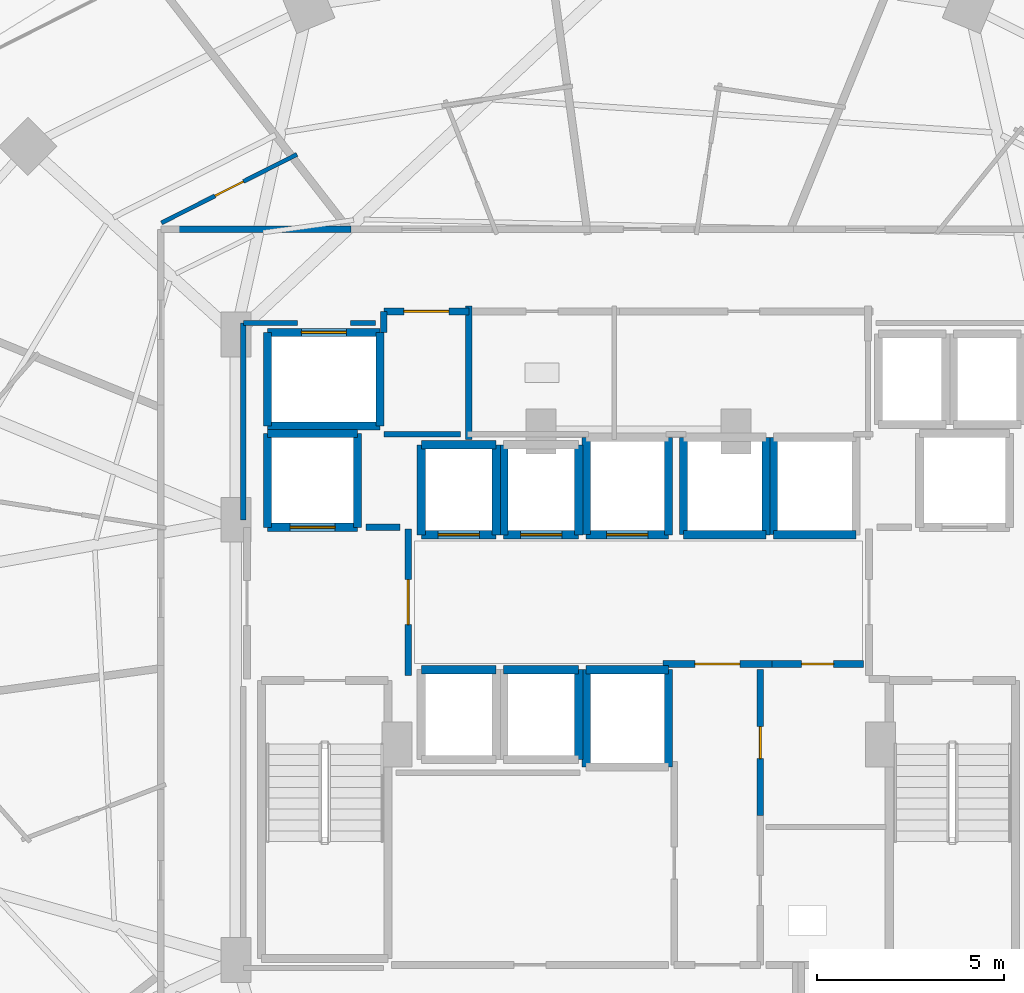
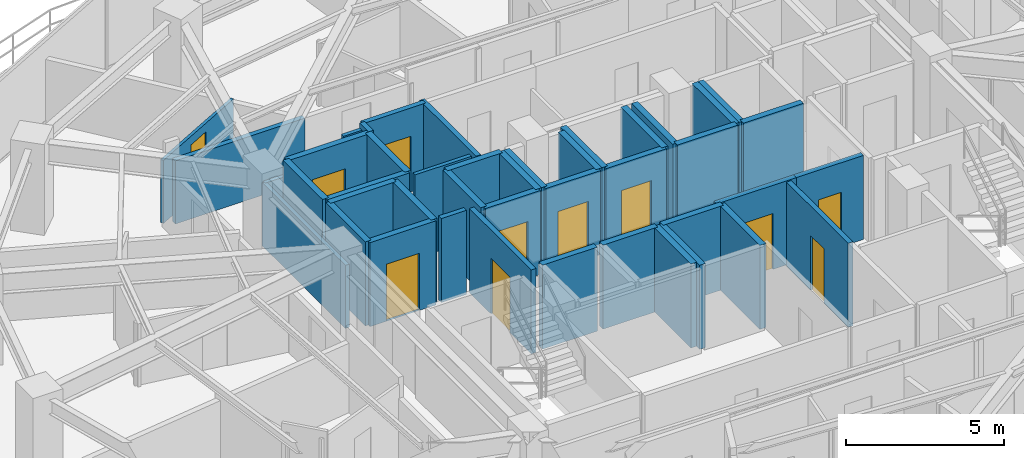
# One storey, part 23 of 30: 43 walls, 11 doors, 11 openings.
"""IFC4 building model written with IfcOpenShell, lengths in metres."""

from ifc_helpers import new_model, si_unit, direction, frame, frame_2d, origin, place, context, subcontext, project, spatial, rectangle, extrude, material, layer, layer_set, type_object, element, fill, save


model = new_model("IFC4")

# Units and contexts
model_context = context("Model", 3, precision=1e-05, world=origin(), true_north=direction((0.0, 1.0)))
body_context = subcontext(model_context, "Body", "Model", "MODEL_VIEW")
ifc_project = project(units=[si_unit("LENGTHUNIT", "METRE"), si_unit("AREAUNIT", "SQUARE_METRE"), si_unit("VOLUMEUNIT", "CUBIC_METRE"), si_unit("PLANEANGLEUNIT", "RADIAN"), si_unit("MASSUNIT", "GRAM", prefix="KILO")], contexts=[model_context])

# Site, building, storey
site_placement = place(None, origin())
site = spatial("IfcSite", under=ifc_project, at=site_placement, CompositionType="ELEMENT")
building_placement = place(site_placement, origin())
building = spatial("IfcBuilding", under=site, at=building_placement, Name="Vorneva Point Tower", CompositionType="ELEMENT")
storey_placement = place(building_placement, frame((0.0, 0.0, 92.800048828125)))
storey = spatial("IfcBuildingStorey", under=building, at=storey_placement, Name="L24", CompositionType="ELEMENT", Elevation=92.800048828125)

# Wall, opening, door
ifc_material_1 = material(Name="Concrete B60 (C50/60)", Category="concrete")
ifc_layer_1 = layer(ifc_material_1, 0.5)
ifc_layer_set_1 = layer_set([ifc_layer_1], Name="Concrete B60 (C50/60)")
wall_type_1 = type_object("IfcWallType", Name="WL-CORE-500", PredefinedType="SHEAR", material=ifc_layer_set_1)
wall_1_placement = place(storey_placement, frame((28.10009765625, 28.0, 0.0), z_axis=(0.0, 0.0, 1.0), x_axis=(1.0, 0.0, 0.0)))
wall_1 = element("IfcWall", 1, at=wall_1_placement, inside=storey, type_object=wall_type_1, Name="L24 Lift FFL1 Shaft Wall -Y", PredefinedType="SHEAR", context=body_context, shape_type="SweptSolid", body=[
    extrude(rectangle(XDim=2.39990234375, YDim=0.219970703125, at=frame_2d((1.199951171875, 0.0))), origin(), (0.0, 0.0, 1.0), 3.239990234375),
])
opening_1_placement = place(wall_1_placement, frame((0.60009765625, 0.0, 0.0)))
opening_1 = element("IfcOpeningElement", 2, at=opening_1_placement, cuts=wall_1, Name="Opening LD-02", PredefinedType="OPENING", context=body_context, shape_type="SweptSolid", body=[
    extrude(rectangle(XDim=1.199951171875, YDim=2.199951171875, at=frame_2d((0.60009765625, 1.10009765625))), frame((0.0, 0.125, 0.0), z_axis=(0.0, -1.0, 0.0), x_axis=(1.0, 0.0, 0.0)), (0.0, 0.0, 1.0), 0.249755859375),
])
ifc_material_2 = material(Name="Brushed stainless steel S304", Category="steel")
door_type_1 = type_object("IfcDoorType", Name="LD-FIRE-1200", OperationType="SLIDING_TO_LEFT", PredefinedType="DOOR", material=ifc_material_2)
door_1_placement = place(opening_1_placement, origin())
door_1 = element("IfcDoor", 3, at=door_1_placement, inside=storey, type_object=door_type_1, Name="L24 Lift FFL1 Sliding Landing Door", OperationType="SLIDING_TO_LEFT", OverallHeight=2.199951171875, OverallWidth=1.199951171875, PredefinedType="DOOR", context=body_context, shape_type="SweptSolid", body=[
    extrude(rectangle(XDim=1.199951171875, YDim=2.199951171875, at=frame_2d((0.60009765625, 1.10009765625))), frame((0.0, 0.02490234375, 0.0), z_axis=(0.0, -1.0, 0.0), x_axis=(1.0, 0.0, 0.0)), (0.0, 0.0, 1.0), 0.050048828125),
])
fill(opening_1, door_1)

# Walls
wall_2_placement = place(storey_placement, frame((30.5, 28.0, 0.0), z_axis=(0.0, 0.0, 1.0), x_axis=(0.0, 1.0, 0.0)))
element("IfcWall", 4, at=wall_2_placement, inside=storey, type_object=wall_type_1, Name="L24 Lift FFL1 Shaft Wall +X", PredefinedType="SHEAR", context=body_context, shape_type="SweptSolid", body=[
    extrude(rectangle(XDim=2.5, YDim=0.219970703125, at=frame_2d((1.25, 0.0))), origin(), (0.0, 0.0, 1.0), 3.239990234375),
])
wall_3_placement = place(storey_placement, frame((30.5, 30.5, 0.0), z_axis=(0.0, 0.0, 1.0), x_axis=(-1.0, 0.0, 0.0)))
element("IfcWall", 5, at=wall_3_placement, inside=storey, type_object=wall_type_1, Name="L24 Lift FFL1 Shaft Wall +Y", PredefinedType="SHEAR", context=body_context, shape_type="SweptSolid", body=[
    extrude(rectangle(XDim=2.39990234375, YDim=0.219970703125, at=frame_2d((1.199951171875, 0.0))), origin(), (0.0, 0.0, 1.0), 3.239990234375),
])
wall_4_placement = place(storey_placement, frame((28.10009765625, 30.5, 0.0), z_axis=(0.0, 0.0, 1.0), x_axis=(0.0, -1.0, 0.0)))
element("IfcWall", 6, at=wall_4_placement, inside=storey, type_object=wall_type_1, Name="L24 Lift FFL1 Shaft Wall -X", PredefinedType="SHEAR", context=body_context, shape_type="SweptSolid", body=[
    extrude(rectangle(XDim=2.5, YDim=0.219970703125, at=frame_2d((1.25, 0.0))), origin(), (0.0, 0.0, 1.0), 3.239990234375),
])

# Wall, opening, door
ifc_material_3 = material(Name="Fire-rated acoustic gypsum stud partition", Category="gypsum")
ifc_layer_2 = layer(ifc_material_3, 0.110107421875)
ifc_layer_set_2 = layer_set([ifc_layer_2], Name="Fire-rated acoustic gypsum stud partition")
wall_type_2 = type_object("IfcWallType", Name="WL-PART-110", PredefinedType="PARTITIONING", material=ifc_layer_set_2)
wall_5_placement = place(storey_placement, frame((25.26806640625, 36.122802734375, 0.0), z_axis=(0.0, 0.0, 1.0), x_axis=(0.892501687321, 0.451044053425, 0.0)))
wall_5 = element("IfcWall", 7, at=wall_5_placement, inside=storey, type_object=wall_type_2, Name="L24 Interior Partition 066", PredefinedType="PARTITIONING", context=body_context, shape_type="SweptSolid", body=[
    extrude(rectangle(XDim=4.04931640625, YDim=0.110107421875, at=frame_2d((2.024658203125, 0.0))), origin(), (0.0, 0.0, 1.0), 2.431884765625),
])
opening_2_placement = place(wall_5_placement, frame((1.599609375, 0.0, 0.0)))
opening_2 = element("IfcOpeningElement", 8, at=opening_2_placement, cuts=wall_5, Name="Opening ID-02", PredefinedType="OPENING", context=body_context, shape_type="SweptSolid", body=[
    extrude(rectangle(XDim=0.85009765625, YDim=2.10009765625, at=frame_2d((0.425048828125, 1.050048828125))), frame((0.0, 0.06982421875, 0.0), z_axis=(0.0, -1.0, 0.0), x_axis=(1.0, 0.0, 0.0)), (0.0, 0.0, 1.0), 0.139892578125),
])
ifc_material_4 = material(Name="Engineered oak fire-rated door leaf", Category="wood")
door_type_2 = type_object("IfcDoorType", Name="DR-BATH-850", OperationType="NOTDEFINED", PredefinedType="DOOR", material=ifc_material_4)
door_2_placement = place(opening_2_placement, origin())
door_2 = element("IfcDoor", 9, at=door_2_placement, inside=storey, type_object=door_type_2, Name="L24 Door Executive Suite L24-05 / En-Suite Bathroom L24-05", OperationType="SINGLE_SWING_RIGHT", OverallHeight=2.10009765625, OverallWidth=0.85009765625, PredefinedType="DOOR", context=body_context, shape_type="SweptSolid", body=[
    extrude(rectangle(XDim=0.85009765625, YDim=2.10009765625, at=frame_2d((0.425048828125, 1.050048828125))), frame((0.0, 0.02490234375, 0.0), z_axis=(0.0, -1.0, 0.0), x_axis=(1.0, 0.0, 0.0)), (0.0, 0.0, 1.0), 0.050048828125),
])
fill(opening_2, door_2)

# Walls
ifc_layer_3 = layer(ifc_material_3, 0.139892578125)
ifc_layer_set_3 = layer_set([ifc_layer_3], Name="Fire-rated acoustic gypsum stud partition")
wall_type_3 = type_object("IfcWallType", Name="WL-PART-140", PredefinedType="PARTITIONING", material=ifc_layer_set_3)
wall_6_placement = place(storey_placement, frame((31.199951171875, 30.47998046875, 0.0), z_axis=(0.0, 0.0, 1.0), x_axis=(1.0, 0.0, 0.0)))
element("IfcWall", 10, at=wall_6_placement, inside=storey, type_object=wall_type_3, Name="L24 Interior Closure Partition 088", PredefinedType="PARTITIONING", context=body_context, shape_type="SweptSolid", body=[
    extrude(rectangle(XDim=2.050048828125, YDim=0.139892578125, at=frame_2d((1.02490234375, 0.0))), origin(), (0.0, 0.0, 1.0), 3.239990234375),
])
wall_7_placement = place(storey_placement, frame((27.449951171875, 28.196044921875, 0.0), z_axis=(0.0, 0.0, 1.0), x_axis=(0.0, 1.0, 0.0)))
element("IfcWall", 11, at=wall_7_placement, inside=storey, type_object=wall_type_3, Name="L24 Interior Closure Partition 100", PredefinedType="PARTITIONING", context=body_context, shape_type="SweptSolid", body=[
    extrude(rectangle(XDim=5.25390625, YDim=0.139892578125, at=frame_2d((2.626953125, 0.0))), origin(), (0.0, 0.0, 1.0), 2.431884765625),
])
wall_8_placement = place(storey_placement, frame((27.449951171875, 33.449951171875, 0.0), z_axis=(0.0, 0.0, 1.0), x_axis=(1.0, 0.0, 0.0)))
element("IfcWall", 12, at=wall_8_placement, inside=storey, type_object=wall_type_3, Name="L24 Interior Closure Partition 101", PredefinedType="PARTITIONING", context=body_context, shape_type="SweptSolid", body=[
    extrude(rectangle(XDim=1.444091796875, YDim=0.139892578125, at=frame_2d((0.72216796875, 0.0))), origin(), (0.0, 0.0, 1.0), 2.431884765625),
])
wall_9_placement = place(storey_placement, frame((30.305908203125, 33.449951171875, 0.0), z_axis=(0.0, 0.0, 1.0), x_axis=(1.0, 0.0, 0.0)))
element("IfcWall", 13, at=wall_9_placement, inside=storey, type_object=wall_type_3, Name="L24 Interior Closure Partition 102", PredefinedType="PARTITIONING", context=body_context, shape_type="SweptSolid", body=[
    extrude(rectangle(XDim=0.674072265625, YDim=0.139892578125, at=frame_2d((0.3369140625, 0.0))), origin(), (0.0, 0.0, 1.0), 3.239990234375),
])

# Wall, opening, door
ifc_material_5 = material(Name="Autoclaved aerated concrete blockwork", Category="masonry")
ifc_layer_4 = layer(ifc_material_5, 0.179931640625)
ifc_layer_set_4 = layer_set([ifc_layer_4], Name="Autoclaved aerated concrete blockwork")
wall_type_4 = type_object("IfcWallType", Name="WL-PART-180", PredefinedType="PARTITIONING", material=ifc_layer_set_4)
wall_10_placement = place(storey_placement, frame((31.85009765625, 24.044921875, 0.0), z_axis=(0.0, 0.0, 1.0), x_axis=(0.0, 1.0, 0.0)))
wall_10 = element("IfcWall", 14, at=wall_10_placement, inside=storey, type_object=wall_type_4, Name="L24 Interior Partition 001", PredefinedType="PARTITIONING", context=body_context, shape_type="SweptSolid", body=[
    extrude(rectangle(XDim=3.91015625, YDim=0.179931640625, at=frame_2d((1.955078125, 0.0))), origin(), (0.0, 0.0, 1.0), 3.239990234375),
])
opening_3_placement = place(wall_10_placement, frame((1.35498046875, 0.0, 0.0)))
opening_3 = element("IfcOpeningElement", 15, at=opening_3_placement, cuts=wall_10, Name="Opening FD-02", PredefinedType="OPENING", context=body_context, shape_type="SweptSolid", body=[
    extrude(rectangle(XDim=1.199951171875, YDim=2.14990234375, at=frame_2d((0.60009765625, 1.074951171875))), frame((0.0, 0.10498046875, 0.0), z_axis=(0.0, -1.0, 0.0), x_axis=(1.0, 0.0, 0.0)), (0.0, 0.0, 1.0), 0.209716796875),
])
ifc_material_6 = material(Name="Fire-rated powder-coated steel", Category="steel")
door_type_3 = type_object("IfcDoorType", Name="DR-FFL-1200", OperationType="NOTDEFINED", PredefinedType="DOOR", material=ifc_material_6)
door_3_placement = place(opening_3_placement, origin())
door_3 = element("IfcDoor", 16, at=door_3_placement, inside=storey, type_object=door_type_3, Name="L24 Door West Firefighting Lobby / Central Lift Lobby", OperationType="SINGLE_SWING_LEFT", OverallHeight=2.14990234375, OverallWidth=1.199951171875, PredefinedType="DOOR", context=body_context, shape_type="SweptSolid", body=[
    extrude(rectangle(XDim=1.199951171875, YDim=2.14990234375, at=frame_2d((0.60009765625, 1.074951171875))), frame((0.0, 0.02490234375, 0.0), z_axis=(0.0, -1.0, 0.0), x_axis=(1.0, 0.0, 0.0)), (0.0, 0.0, 1.0), 0.050048828125),
])
fill(opening_3, door_3)

# Wall
wall_11_placement = place(storey_placement, frame((33.469970703125, 30.340087890625, 0.0), z_axis=(0.0, 0.0, 1.0), x_axis=(0.0, 1.0, 0.0)))
element("IfcWall", 17, at=wall_11_placement, inside=storey, type_object=wall_type_4, Name="L24 Interior Partition 006", PredefinedType="PARTITIONING", context=body_context, shape_type="SweptSolid", body=[
    extrude(rectangle(XDim=3.559814453125, YDim=0.179931640625, at=frame_2d((1.77978515625, 0.0))), origin(), (0.0, 0.0, 1.0), 3.239990234375),
])

# Wall, opening, door
wall_12_placement = place(storey_placement, frame((33.469970703125, 33.760009765625, 0.0), z_axis=(0.0, 0.0, 1.0), x_axis=(-1.0, 0.0, 0.0)))
wall_12 = element("IfcWall", 18, at=wall_12_placement, inside=storey, type_object=wall_type_4, Name="L24 Interior Partition 007", PredefinedType="PARTITIONING", context=body_context, shape_type="SweptSolid", body=[
    extrude(rectangle(XDim=2.27001953125, YDim=0.179931640625, at=frame_2d((1.135009765625, 0.0))), origin(), (0.0, 0.0, 1.0), 3.239990234375),
])
opening_4_placement = place(wall_12_placement, frame((0.534912109375, 0.0, 0.0)))
opening_4 = element("IfcOpeningElement", 19, at=opening_4_placement, cuts=wall_12, Name="Opening FD-02", PredefinedType="OPENING", context=body_context, shape_type="SweptSolid", body=[
    extrude(rectangle(XDim=1.199951171875, YDim=2.14990234375, at=frame_2d((0.60009765625, 1.074951171875))), frame((0.0, 0.10498046875, 0.0), z_axis=(0.0, -1.0, 0.0), x_axis=(1.0, 0.0, 0.0)), (0.0, 0.0, 1.0), 0.209716796875),
])
door_4_placement = place(opening_4_placement, origin())
door_4 = element("IfcDoor", 20, at=door_4_placement, inside=storey, type_object=door_type_3, Name="L24 Door Service Lift Lobby / L24 Circulation Corridor", OperationType="SINGLE_SWING_LEFT", OverallHeight=2.14990234375, OverallWidth=1.199951171875, PredefinedType="DOOR", context=body_context, shape_type="SweptSolid", body=[
    extrude(rectangle(XDim=1.199951171875, YDim=2.14990234375, at=frame_2d((0.60009765625, 1.074951171875))), frame((0.0, 0.02490234375, 0.0), z_axis=(0.0, -1.0, 0.0), x_axis=(1.0, 0.0, 0.0)), (0.0, 0.0, 1.0), 0.050048828125),
])
fill(opening_4, door_4)

# Wall
wall_13_placement = place(storey_placement, frame((31.199951171875, 33.760009765625, 0.0), z_axis=(0.0, 0.0, 1.0), x_axis=(0.0, -1.0, 0.0)))
element("IfcWall", 21, at=wall_13_placement, inside=storey, type_object=wall_type_4, Name="L24 Interior Partition 008", PredefinedType="PARTITIONING", context=body_context, shape_type="SweptSolid", body=[
    extrude(rectangle(XDim=0.56005859375, YDim=0.179931640625, at=frame_2d((0.280029296875, 0.0))), origin(), (0.0, 0.0, 1.0), 3.239990234375),
])

# Wall, opening, door
wall_14_placement = place(storey_placement, frame((38.64501953125, 24.35009765625, 0.0), z_axis=(0.0, 0.0, 1.0), x_axis=(1.0, 0.0, 0.0)))
wall_14 = element("IfcWall", 22, at=wall_14_placement, inside=storey, type_object=wall_type_4, Name="L24 Interior Partition 009", PredefinedType="PARTITIONING", context=body_context, shape_type="SweptSolid", body=[
    extrude(rectangle(XDim=2.909912109375, YDim=0.179931640625, at=frame_2d((1.455078125, 0.0))), origin(), (0.0, 0.0, 1.0), 3.239990234375),
])
opening_5_placement = place(wall_14_placement, frame((0.85498046875, 0.0, 0.0)))
opening_5 = element("IfcOpeningElement", 23, at=opening_5_placement, cuts=wall_14, Name="Opening FD-02", PredefinedType="OPENING", context=body_context, shape_type="SweptSolid", body=[
    extrude(rectangle(XDim=1.199951171875, YDim=2.14990234375, at=frame_2d((0.60009765625, 1.074951171875))), frame((0.0, 0.10498046875, 0.0), z_axis=(0.0, -1.0, 0.0), x_axis=(1.0, 0.0, 0.0)), (0.0, 0.0, 1.0), 0.209716796875),
])
door_5_placement = place(opening_5_placement, origin())
door_5 = element("IfcDoor", 24, at=door_5_placement, inside=storey, type_object=door_type_3, Name="L24 Door Central Lift Lobby / Core Service Lobby", OperationType="SINGLE_SWING_RIGHT", OverallHeight=2.14990234375, OverallWidth=1.199951171875, PredefinedType="DOOR", context=body_context, shape_type="SweptSolid", body=[
    extrude(rectangle(XDim=1.199951171875, YDim=2.14990234375, at=frame_2d((0.60009765625, 1.074951171875))), frame((0.0, 0.02490234375, 0.0), z_axis=(0.0, -1.0, 0.0), x_axis=(1.0, 0.0, 0.0)), (0.0, 0.0, 1.0), 0.050048828125),
])
fill(opening_5, door_5)

wall_15_placement = place(storey_placement, frame((41.554931640625, 24.35009765625, 0.0), z_axis=(0.0, 0.0, 1.0), x_axis=(1.0, 0.0, 0.0)))
wall_15 = element("IfcWall", 25, at=wall_15_placement, inside=storey, type_object=wall_type_4, Name="L24 Interior Partition 010", PredefinedType="PARTITIONING", context=body_context, shape_type="SweptSolid", body=[
    extrude(rectangle(XDim=2.445068359375, YDim=0.179931640625, at=frame_2d((1.22265625, 0.0))), origin(), (0.0, 0.0, 1.0), 3.239990234375),
])
opening_6_placement = place(wall_15_placement, frame((0.797607421875, 0.0, 0.0)))
opening_6 = element("IfcOpeningElement", 26, at=opening_6_placement, cuts=wall_15, Name="Opening ID-02", PredefinedType="OPENING", context=body_context, shape_type="SweptSolid", body=[
    extrude(rectangle(XDim=0.85009765625, YDim=2.10009765625, at=frame_2d((0.425048828125, 1.050048828125))), frame((0.0, 0.10498046875, 0.0), z_axis=(0.0, -1.0, 0.0), x_axis=(1.0, 0.0, 0.0)), (0.0, 0.0, 1.0), 0.209716796875),
])
door_6_placement = place(opening_6_placement, origin())
door_6 = element("IfcDoor", 27, at=door_6_placement, inside=storey, type_object=door_type_2, Name="L24 Door Central Lift Lobby / Cleaners Store", OperationType="SINGLE_SWING_LEFT", OverallHeight=2.10009765625, OverallWidth=0.85009765625, PredefinedType="DOOR", context=body_context, shape_type="SweptSolid", body=[
    extrude(rectangle(XDim=0.85009765625, YDim=2.10009765625, at=frame_2d((0.425048828125, 1.050048828125))), frame((0.0, 0.02490234375, 0.0), z_axis=(0.0, -1.0, 0.0), x_axis=(1.0, 0.0, 0.0)), (0.0, 0.0, 1.0), 0.050048828125),
])
fill(opening_6, door_6)

wall_16_placement = place(storey_placement, frame((41.25, 20.304931640625, 0.0), z_axis=(0.0, 0.0, 1.0), x_axis=(0.0, 1.0, 0.0)))
wall_16 = element("IfcWall", 28, at=wall_16_placement, inside=storey, type_object=wall_type_4, Name="L24 Interior Partition 012", PredefinedType="PARTITIONING", context=body_context, shape_type="SweptSolid", body=[
    extrude(rectangle(XDim=3.89501953125, YDim=0.179931640625, at=frame_2d((1.947509765625, 0.0))), origin(), (0.0, 0.0, 1.0), 3.239990234375),
])
opening_7_placement = place(wall_16_placement, frame((1.5224609375, 0.0, 0.0)))
opening_7 = element("IfcOpeningElement", 29, at=opening_7_placement, cuts=wall_16, Name="Opening ID-02", PredefinedType="OPENING", context=body_context, shape_type="SweptSolid", body=[
    extrude(rectangle(XDim=0.85009765625, YDim=2.10009765625, at=frame_2d((0.425048828125, 1.050048828125))), frame((0.0, 0.10498046875, 0.0), z_axis=(0.0, -1.0, 0.0), x_axis=(1.0, 0.0, 0.0)), (0.0, 0.0, 1.0), 0.209716796875),
])
door_7_placement = place(opening_7_placement, origin())
door_7 = element("IfcDoor", 30, at=door_7_placement, inside=storey, type_object=door_type_2, Name="L24 Door Core Service Lobby / Cleaners Store", OperationType="SINGLE_SWING_LEFT", OverallHeight=2.10009765625, OverallWidth=0.85009765625, PredefinedType="DOOR", context=body_context, shape_type="SweptSolid", body=[
    extrude(rectangle(XDim=0.85009765625, YDim=2.10009765625, at=frame_2d((0.425048828125, 1.050048828125))), frame((0.0, 0.02490234375, 0.0), z_axis=(0.0, -1.0, 0.0), x_axis=(1.0, 0.0, 0.0)), (0.0, 0.0, 1.0), 0.050048828125),
])
fill(opening_7, door_7)

# Walls
wall_17_placement = place(storey_placement, frame((30.326904296875, 35.949951171875, 0.0), z_axis=(0.0, 0.0, 1.0), x_axis=(-1.0, 0.0, 0.0)))
element("IfcWall", 31, at=wall_17_placement, inside=storey, type_object=wall_type_4, Name="L24 Interior Partition 032", PredefinedType="PARTITIONING", context=body_context, shape_type="SweptSolid", body=[
    extrude(rectangle(XDim=4.721923828125, YDim=0.179931640625, at=frame_2d((2.36083984375, 0.0))), origin(), (0.0, 0.0, 1.0), 2.431884765625),
])
wall_18_placement = place(storey_placement, frame((31.635009765625, 28.0, 0.0), z_axis=(0.0, 0.0, 1.0), x_axis=(-1.0, 0.0, 0.0)))
element("IfcWall", 32, at=wall_18_placement, inside=storey, type_object=wall_type_4, Name="L24 Interior Closure Partition 086", PredefinedType="PARTITIONING", context=body_context, shape_type="SweptSolid", body=[
    extrude(rectangle(XDim=0.9150390625, YDim=0.179931640625, at=frame_2d((0.45751953125, 0.0))), origin(), (0.0, 0.0, 1.0), 3.239990234375),
])

# Wall, opening, door
ifc_material_7 = material(Name="Concrete B50 (C40/50)", Category="concrete")
ifc_layer_5 = layer(ifc_material_7, 0.219970703125)
ifc_layer_set_5 = layer_set([ifc_layer_5], Name="Concrete B50 (C40/50)")
wall_type_5 = type_object("IfcWallType", Name="WL-SHFT-220", PredefinedType="SOLIDWALL", material=ifc_layer_set_5)
wall_19_placement = place(storey_placement, frame((32.199951171875, 27.800048828125, 0.0), z_axis=(0.0, 0.0, 1.0), x_axis=(1.0, 0.0, 0.0)))
wall_19 = element("IfcWall", 33, at=wall_19_placement, inside=storey, type_object=wall_type_5, Name="L24 Lift PL1 Shaft Wall -Y", PredefinedType="SOLIDWALL", context=body_context, shape_type="SweptSolid", body=[
    extrude(rectangle(XDim=2.0, YDim=0.219970703125, at=frame_2d((1.0, 0.0))), origin(), (0.0, 0.0, 1.0), 3.239990234375),
])
opening_8_placement = place(wall_19_placement, frame((0.449951171875, 0.0, 0.0)))
opening_8 = element("IfcOpeningElement", 34, at=opening_8_placement, cuts=wall_19, Name="Opening LD-01", PredefinedType="OPENING", context=body_context, shape_type="SweptSolid", body=[
    extrude(rectangle(XDim=1.10009765625, YDim=2.199951171875, at=frame_2d((0.550048828125, 1.10009765625))), frame((0.0, 0.125, 0.0), z_axis=(0.0, -1.0, 0.0), x_axis=(1.0, 0.0, 0.0)), (0.0, 0.0, 1.0), 0.249755859375),
])
door_type_4 = type_object("IfcDoorType", Name="LD-PASS-1100", OperationType="SLIDING_TO_LEFT", PredefinedType="DOOR", material=ifc_material_2)
door_8_placement = place(opening_8_placement, origin())
door_8 = element("IfcDoor", 35, at=door_8_placement, inside=storey, type_object=door_type_4, Name="L24 Lift PL1 Sliding Landing Door", OperationType="SLIDING_TO_LEFT", OverallHeight=2.199951171875, OverallWidth=1.10009765625, PredefinedType="DOOR", context=body_context, shape_type="SweptSolid", body=[
    extrude(rectangle(XDim=1.10009765625, YDim=2.199951171875, at=frame_2d((0.550048828125, 1.10009765625))), frame((0.0, 0.02490234375, 0.0), z_axis=(0.0, -1.0, 0.0), x_axis=(1.0, 0.0, 0.0)), (0.0, 0.0, 1.0), 0.050048828125),
])
fill(opening_8, door_8)

# Walls
wall_20_placement = place(storey_placement, frame((34.199951171875, 27.800048828125, 0.0), z_axis=(0.0, 0.0, 1.0), x_axis=(0.0, 1.0, 0.0)))
element("IfcWall", 36, at=wall_20_placement, inside=storey, type_object=wall_type_5, Name="L24 Lift PL1 Shaft Wall +X", PredefinedType="SOLIDWALL", context=body_context, shape_type="SweptSolid", body=[
    extrude(rectangle(XDim=2.39990234375, YDim=0.219970703125, at=frame_2d((1.199951171875, 0.0))), origin(), (0.0, 0.0, 1.0), 3.239990234375),
])
wall_21_placement = place(storey_placement, frame((34.199951171875, 30.199951171875, 0.0), z_axis=(0.0, 0.0, 1.0), x_axis=(-1.0, 0.0, 0.0)))
element("IfcWall", 37, at=wall_21_placement, inside=storey, type_object=wall_type_5, Name="L24 Lift PL1 Shaft Wall +Y", PredefinedType="SOLIDWALL", context=body_context, shape_type="SweptSolid", body=[
    extrude(rectangle(XDim=2.0, YDim=0.219970703125, at=frame_2d((1.0, 0.0))), origin(), (0.0, 0.0, 1.0), 3.239990234375),
])
wall_22_placement = place(storey_placement, frame((32.199951171875, 30.199951171875, 0.0), z_axis=(0.0, 0.0, 1.0), x_axis=(0.0, -1.0, 0.0)))
element("IfcWall", 38, at=wall_22_placement, inside=storey, type_object=wall_type_5, Name="L24 Lift PL1 Shaft Wall -X", PredefinedType="SOLIDWALL", context=body_context, shape_type="SweptSolid", body=[
    extrude(rectangle(XDim=2.39990234375, YDim=0.219970703125, at=frame_2d((1.199951171875, 0.0))), origin(), (0.0, 0.0, 1.0), 3.239990234375),
])

# Wall, opening, door
wall_23_placement = place(storey_placement, frame((34.39990234375, 27.800048828125, 0.0), z_axis=(0.0, 0.0, 1.0), x_axis=(1.0, 0.0, 0.0)))
wall_23 = element("IfcWall", 39, at=wall_23_placement, inside=storey, type_object=wall_type_5, Name="L24 Lift PL2 Shaft Wall -Y", PredefinedType="SOLIDWALL", context=body_context, shape_type="SweptSolid", body=[
    extrude(rectangle(XDim=2.0, YDim=0.219970703125, at=frame_2d((1.0, 0.0))), origin(), (0.0, 0.0, 1.0), 3.239990234375),
])
opening_9_placement = place(wall_23_placement, frame((0.449951171875, 0.0, 0.0)))
opening_9 = element("IfcOpeningElement", 40, at=opening_9_placement, cuts=wall_23, Name="Opening LD-01", PredefinedType="OPENING", context=body_context, shape_type="SweptSolid", body=[
    extrude(rectangle(XDim=1.10009765625, YDim=2.199951171875, at=frame_2d((0.550048828125, 1.10009765625))), frame((0.0, 0.125, 0.0), z_axis=(0.0, -1.0, 0.0), x_axis=(1.0, 0.0, 0.0)), (0.0, 0.0, 1.0), 0.249755859375),
])
door_9_placement = place(opening_9_placement, origin())
door_9 = element("IfcDoor", 41, at=door_9_placement, inside=storey, type_object=door_type_4, Name="L24 Lift PL2 Sliding Landing Door", OperationType="SLIDING_TO_LEFT", OverallHeight=2.199951171875, OverallWidth=1.10009765625, PredefinedType="DOOR", context=body_context, shape_type="SweptSolid", body=[
    extrude(rectangle(XDim=1.10009765625, YDim=2.199951171875, at=frame_2d((0.550048828125, 1.10009765625))), frame((0.0, 0.02490234375, 0.0), z_axis=(0.0, -1.0, 0.0), x_axis=(1.0, 0.0, 0.0)), (0.0, 0.0, 1.0), 0.050048828125),
])
fill(opening_9, door_9)

# Walls
for number, where, z_axis, x_axis, name in (
    (42, (36.39990234375, 27.800048828125, 0.0), (0.0, 0.0, 1.0), (0.0, 1.0, 0.0), "L24 Lift PL2 Shaft Wall +X"),
    (43, (34.39990234375, 30.199951171875, 0.0), (0.0, 0.0, 1.0), (0.0, -1.0, 0.0), "L24 Lift PL2 Shaft Wall -X"),
):
    element("IfcWall", number, at=place(storey_placement, frame(where, z_axis=z_axis, x_axis=x_axis)), inside=storey, type_object=wall_type_5, Name=name, PredefinedType="SOLIDWALL", context=body_context, shape_type="SweptSolid", body=[
        extrude(rectangle(XDim=2.39990234375, YDim=0.219970703125, at=frame_2d((1.199951171875, 0.0))), origin(), (0.0, 0.0, 1.0), 3.239990234375),
    ])

# Wall, opening, door
wall_24_placement = place(storey_placement, frame((36.60009765625, 27.800048828125, 0.0), z_axis=(0.0, 0.0, 1.0), x_axis=(1.0, 0.0, 0.0)))
wall_24 = element("IfcWall", 44, at=wall_24_placement, inside=storey, type_object=wall_type_5, Name="L24 Lift PL3 Shaft Wall -Y", PredefinedType="SOLIDWALL", context=body_context, shape_type="SweptSolid", body=[
    extrude(rectangle(XDim=2.199951171875, YDim=0.219970703125, at=frame_2d((1.10009765625, 0.0))), origin(), (0.0, 0.0, 1.0), 3.239990234375),
])
opening_10_placement = place(wall_24_placement, frame((0.550048828125, 0.0, 0.0)))
opening_10 = element("IfcOpeningElement", 45, at=opening_10_placement, cuts=wall_24, Name="Opening LD-01", PredefinedType="OPENING", context=body_context, shape_type="SweptSolid", body=[
    extrude(rectangle(XDim=1.10009765625, YDim=2.199951171875, at=frame_2d((0.550048828125, 1.10009765625))), frame((0.0, 0.125, 0.0), z_axis=(0.0, -1.0, 0.0), x_axis=(1.0, 0.0, 0.0)), (0.0, 0.0, 1.0), 0.249755859375),
])
door_10_placement = place(opening_10_placement, origin())
door_10 = element("IfcDoor", 46, at=door_10_placement, inside=storey, type_object=door_type_4, Name="L24 Lift PL3 Sliding Landing Door", OperationType="SLIDING_TO_LEFT", OverallHeight=2.199951171875, OverallWidth=1.10009765625, PredefinedType="DOOR", context=body_context, shape_type="SweptSolid", body=[
    extrude(rectangle(XDim=1.10009765625, YDim=2.199951171875, at=frame_2d((0.550048828125, 1.10009765625))), frame((0.0, 0.02490234375, 0.0), z_axis=(0.0, -1.0, 0.0), x_axis=(1.0, 0.0, 0.0)), (0.0, 0.0, 1.0), 0.050048828125),
])
fill(opening_10, door_10)

# Walls
for number, where, z_axis, x_axis, name in (
    (47, (38.800048828125, 27.800048828125, 0.0), (0.0, 0.0, 1.0), (0.0, 1.0, 0.0), "L24 Lift PL3 Shaft Wall +X"),
    (48, (36.60009765625, 30.39990234375, 0.0), (0.0, 0.0, 1.0), (0.0, -1.0, 0.0), "L24 Lift PL3 Shaft Wall -X"),
):
    element("IfcWall", number, at=place(storey_placement, frame(where, z_axis=z_axis, x_axis=x_axis)), inside=storey, type_object=wall_type_5, Name=name, PredefinedType="SOLIDWALL", context=body_context, shape_type="SweptSolid", body=[
        extrude(rectangle(XDim=2.599853515625, YDim=0.219970703125, at=frame_2d((1.2998046875, 0.0))), origin(), (0.0, 0.0, 1.0), 3.239990234375),
    ])
wall_25_placement = place(storey_placement, frame((34.199951171875, 24.199951171875, 0.0), z_axis=(0.0, 0.0, 1.0), x_axis=(-1.0, 0.0, 0.0)))
element("IfcWall", 49, at=wall_25_placement, inside=storey, type_object=wall_type_5, Name="L24 Lift PL4 Shaft Wall +Y", PredefinedType="SOLIDWALL", context=body_context, shape_type="SweptSolid", body=[
    extrude(rectangle(XDim=2.0, YDim=0.219970703125, at=frame_2d((1.0, 0.0))), origin(), (0.0, 0.0, 1.0), 3.239990234375),
])
wall_26_placement = place(storey_placement, frame((36.39990234375, 21.800048828125, 0.0), z_axis=(0.0, 0.0, 1.0), x_axis=(0.0, 1.0, 0.0)))
element("IfcWall", 50, at=wall_26_placement, inside=storey, type_object=wall_type_5, Name="L24 Lift PL5 Shaft Wall +X", PredefinedType="SOLIDWALL", context=body_context, shape_type="SweptSolid", body=[
    extrude(rectangle(XDim=2.39990234375, YDim=0.219970703125, at=frame_2d((1.199951171875, 0.0))), origin(), (0.0, 0.0, 1.0), 3.239990234375),
])
wall_27_placement = place(storey_placement, frame((36.39990234375, 24.199951171875, 0.0), z_axis=(0.0, 0.0, 1.0), x_axis=(-1.0, 0.0, 0.0)))
element("IfcWall", 51, at=wall_27_placement, inside=storey, type_object=wall_type_5, Name="L24 Lift PL5 Shaft Wall +Y", PredefinedType="SOLIDWALL", context=body_context, shape_type="SweptSolid", body=[
    extrude(rectangle(XDim=2.0, YDim=0.219970703125, at=frame_2d((1.0, 0.0))), origin(), (0.0, 0.0, 1.0), 3.239990234375),
])
wall_28_placement = place(storey_placement, frame((38.800048828125, 21.60009765625, 0.0), z_axis=(0.0, 0.0, 1.0), x_axis=(0.0, 1.0, 0.0)))
element("IfcWall", 52, at=wall_28_placement, inside=storey, type_object=wall_type_5, Name="L24 Lift PL6 Shaft Wall +X", PredefinedType="SOLIDWALL", context=body_context, shape_type="SweptSolid", body=[
    extrude(rectangle(XDim=2.599853515625, YDim=0.219970703125, at=frame_2d((1.2998046875, 0.0))), origin(), (0.0, 0.0, 1.0), 3.239990234375),
])
wall_29_placement = place(storey_placement, frame((38.800048828125, 24.199951171875, 0.0), z_axis=(0.0, 0.0, 1.0), x_axis=(-1.0, 0.0, 0.0)))
element("IfcWall", 53, at=wall_29_placement, inside=storey, type_object=wall_type_5, Name="L24 Lift PL6 Shaft Wall +Y", PredefinedType="SOLIDWALL", context=body_context, shape_type="SweptSolid", body=[
    extrude(rectangle(XDim=2.199951171875, YDim=0.219970703125, at=frame_2d((1.10009765625, 0.0))), origin(), (0.0, 0.0, 1.0), 3.239990234375),
])
wall_30_placement = place(storey_placement, frame((36.60009765625, 24.199951171875, 0.0), z_axis=(0.0, 0.0, 1.0), x_axis=(0.0, -1.0, 0.0)))
element("IfcWall", 54, at=wall_30_placement, inside=storey, type_object=wall_type_5, Name="L24 Lift PL6 Shaft Wall -X", PredefinedType="SOLIDWALL", context=body_context, shape_type="SweptSolid", body=[
    extrude(rectangle(XDim=2.599853515625, YDim=0.219970703125, at=frame_2d((1.2998046875, 0.0))), origin(), (0.0, 0.0, 1.0), 3.239990234375),
])
wall_31_placement = place(storey_placement, frame((39.199951171875, 27.800048828125, 0.0), z_axis=(0.0, 0.0, 1.0), x_axis=(1.0, 0.0, 0.0)))
element("IfcWall", 55, at=wall_31_placement, inside=storey, type_object=wall_type_5, Name="L24 Lift PL7 Shaft Wall -Y", PredefinedType="SOLIDWALL", context=body_context, shape_type="SweptSolid", body=[
    extrude(rectangle(XDim=2.199951171875, YDim=0.219970703125, at=frame_2d((1.10009765625, 0.0))), origin(), (0.0, 0.0, 1.0), 3.239990234375),
])
for number, where, z_axis, x_axis, name in (
    (56, (41.39990234375, 27.800048828125, 0.0), (0.0, 0.0, 1.0), (0.0, 1.0, 0.0), "L24 Lift PL7 Shaft Wall +X"),
    (57, (39.199951171875, 30.39990234375, 0.0), (0.0, 0.0, 1.0), (0.0, -1.0, 0.0), "L24 Lift PL7 Shaft Wall -X"),
):
    element("IfcWall", number, at=place(storey_placement, frame(where, z_axis=z_axis, x_axis=x_axis)), inside=storey, type_object=wall_type_5, Name=name, PredefinedType="SOLIDWALL", context=body_context, shape_type="SweptSolid", body=[
        extrude(rectangle(XDim=2.599853515625, YDim=0.219970703125, at=frame_2d((1.2998046875, 0.0))), origin(), (0.0, 0.0, 1.0), 3.239990234375),
    ])
wall_32_placement = place(storey_placement, frame((41.60009765625, 27.800048828125, 0.0), z_axis=(0.0, 0.0, 1.0), x_axis=(1.0, 0.0, 0.0)))
element("IfcWall", 58, at=wall_32_placement, inside=storey, type_object=wall_type_5, Name="L24 Lift PL8 Shaft Wall -Y", PredefinedType="SOLIDWALL", context=body_context, shape_type="SweptSolid", body=[
    extrude(rectangle(XDim=2.199951171875, YDim=0.219970703125, at=frame_2d((1.10009765625, 0.0))), origin(), (0.0, 0.0, 1.0), 3.239990234375),
])
wall_33_placement = place(storey_placement, frame((41.60009765625, 30.39990234375, 0.0), z_axis=(0.0, 0.0, 1.0), x_axis=(0.0, -1.0, 0.0)))
element("IfcWall", 59, at=wall_33_placement, inside=storey, type_object=wall_type_5, Name="L24 Lift PL8 Shaft Wall -X", PredefinedType="SOLIDWALL", context=body_context, shape_type="SweptSolid", body=[
    extrude(rectangle(XDim=2.599853515625, YDim=0.219970703125, at=frame_2d((1.2998046875, 0.0))), origin(), (0.0, 0.0, 1.0), 3.239990234375),
])
wall_34_placement = place(storey_placement, frame((28.10009765625, 30.699951171875, 0.0), z_axis=(0.0, 0.0, 1.0), x_axis=(1.0, 0.0, 0.0)))
element("IfcWall", 60, at=wall_34_placement, inside=storey, type_object=wall_type_5, Name="L24 Lift SVL1 Shaft Wall -Y", PredefinedType="SOLIDWALL", context=body_context, shape_type="SweptSolid", body=[
    extrude(rectangle(XDim=3.0, YDim=0.219970703125, at=frame_2d((1.5, 0.0))), origin(), (0.0, 0.0, 1.0), 3.239990234375),
])
wall_35_placement = place(storey_placement, frame((31.10009765625, 30.699951171875, 0.0), z_axis=(0.0, 0.0, 1.0), x_axis=(0.0, 1.0, 0.0)))
element("IfcWall", 61, at=wall_35_placement, inside=storey, type_object=wall_type_5, Name="L24 Lift SVL1 Shaft Wall +X", PredefinedType="SOLIDWALL", context=body_context, shape_type="SweptSolid", body=[
    extrude(rectangle(XDim=2.5, YDim=0.219970703125, at=frame_2d((1.25, 0.0))), origin(), (0.0, 0.0, 1.0), 3.239990234375),
])

# Wall, opening, door
wall_36_placement = place(storey_placement, frame((31.10009765625, 33.199951171875, 0.0), z_axis=(0.0, 0.0, 1.0), x_axis=(-1.0, 0.0, 0.0)))
wall_36 = element("IfcWall", 62, at=wall_36_placement, inside=storey, type_object=wall_type_5, Name="L24 Lift SVL1 Shaft Wall +Y", PredefinedType="SOLIDWALL", context=body_context, shape_type="SweptSolid", body=[
    extrude(rectangle(XDim=3.0, YDim=0.219970703125, at=frame_2d((1.5, 0.0))), origin(), (0.0, 0.0, 1.0), 3.239990234375),
])
opening_11_placement = place(wall_36_placement, frame((0.89990234375, 0.0, 0.0)))
opening_11 = element("IfcOpeningElement", 63, at=opening_11_placement, cuts=wall_36, Name="Opening LD-02", PredefinedType="OPENING", context=body_context, shape_type="SweptSolid", body=[
    extrude(rectangle(XDim=1.199951171875, YDim=2.199951171875, at=frame_2d((0.60009765625, 1.10009765625))), frame((0.0, 0.125, 0.0), z_axis=(0.0, -1.0, 0.0), x_axis=(1.0, 0.0, 0.0)), (0.0, 0.0, 1.0), 0.249755859375),
])
door_11_placement = place(opening_11_placement, origin())
door_11 = element("IfcDoor", 64, at=door_11_placement, inside=storey, type_object=door_type_1, Name="L24 Lift SVL1 Sliding Landing Door", OperationType="SLIDING_TO_LEFT", OverallHeight=2.199951171875, OverallWidth=1.199951171875, PredefinedType="DOOR", context=body_context, shape_type="SweptSolid", body=[
    extrude(rectangle(XDim=1.199951171875, YDim=2.199951171875, at=frame_2d((0.60009765625, 1.10009765625))), frame((0.0, 0.02490234375, 0.0), z_axis=(0.0, -1.0, 0.0), x_axis=(1.0, 0.0, 0.0)), (0.0, 0.0, 1.0), 0.050048828125),
])
fill(opening_11, door_11)

# Wall
wall_37_placement = place(storey_placement, frame((28.10009765625, 33.199951171875, 0.0), z_axis=(0.0, 0.0, 1.0), x_axis=(0.0, -1.0, 0.0)))
element("IfcWall", 65, at=wall_37_placement, inside=storey, type_object=wall_type_5, Name="L24 Lift SVL1 Shaft Wall -X", PredefinedType="SOLIDWALL", context=body_context, shape_type="SweptSolid", body=[
    extrude(rectangle(XDim=2.5, YDim=0.219970703125, at=frame_2d((1.25, 0.0))), origin(), (0.0, 0.0, 1.0), 3.239990234375),
])

save(model, "model.ifc")
